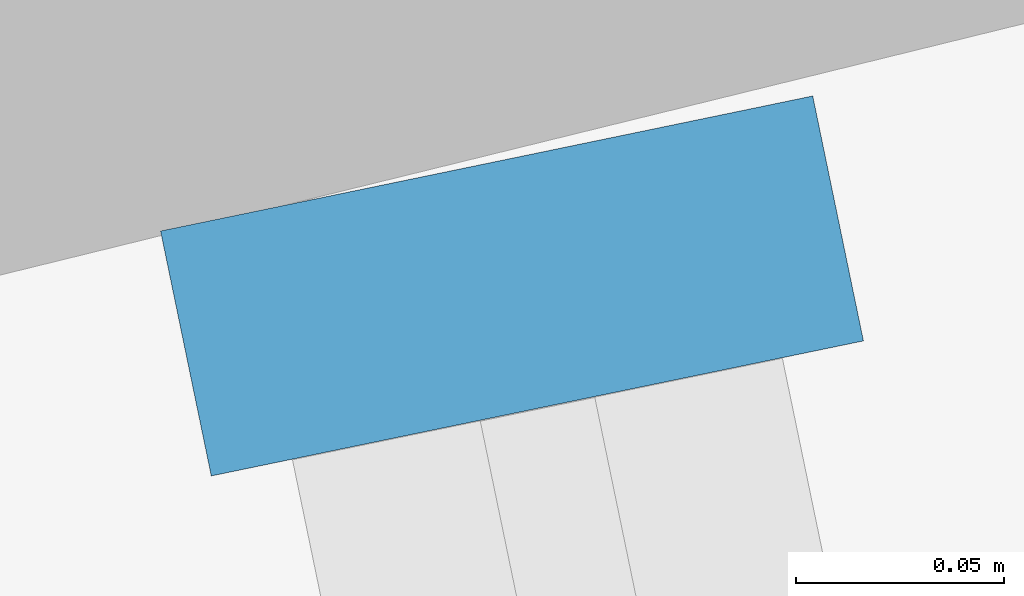
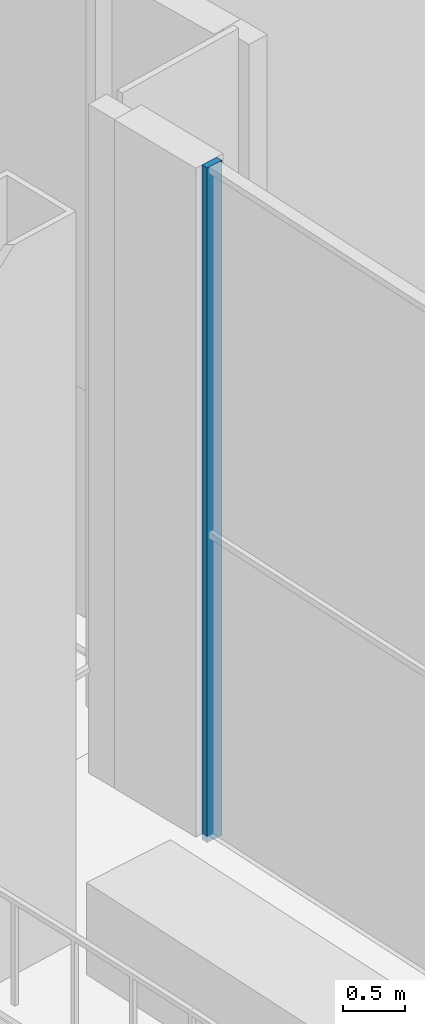
# One storey, part 10 of 25: 1 member, 1 element without a shape of its own.
"""IFC4 building model written with IfcOpenShell, lengths in metres."""

from ifc_helpers import new_model, si_unit, direction, frame, origin, origin_2d, place, context, subcontext, project, spatial, rectangle, extrude, material, layer, layer_set, material_profile, profile_set, type_object, element, aggregate, save


model = new_model("IFC4")

# Units and contexts
model_context = context("Model", 3, precision=1e-05, world=origin(), true_north=direction((0.0, 1.0)))
body_context = subcontext(model_context, "Body", "Model", "MODEL_VIEW")
ifc_project = project(units=[si_unit("LENGTHUNIT", "METRE"), si_unit("AREAUNIT", "SQUARE_METRE"), si_unit("VOLUMEUNIT", "CUBIC_METRE"), si_unit("PLANEANGLEUNIT", "RADIAN"), si_unit("MASSUNIT", "GRAM", prefix="KILO")], contexts=[model_context])

# Site, building, storey
site_placement = place(None, origin())
site = spatial("IfcSite", under=ifc_project, at=site_placement, CompositionType="ELEMENT")
building_placement = place(site_placement, origin())
building = spatial("IfcBuilding", under=site, at=building_placement, Name="Alderwake Tower", CompositionType="ELEMENT")
storey_placement = place(building_placement, frame((0.0, 0.0, 288.800048828125)))
storey = spatial("IfcBuildingStorey", under=building, at=storey_placement, Name="L72", CompositionType="ELEMENT", Elevation=288.800048828125)

# Curtain wall, member
ifc_material_1 = material(Name="Bronze tinted glass in aluminium frame", Category="aluminium")
ifc_layer = layer(ifc_material_1, 0.199951171875)
ifc_layer_set = layer_set([ifc_layer], Name="Curtain wall CW3 sky garden glazing")
curtain_wall_type = type_object("IfcCurtainWallType", Name="Curtain wall CW3 sky garden glazing", PredefinedType="NOTDEFINED", material=ifc_layer_set)
curtain_wall_placement = place(storey_placement, origin())
curtain_wall = element("IfcCurtainWall", 1, at=curtain_wall_placement, inside=storey, type_object=curtain_wall_type, Name="Curtain wall 1", PredefinedType="NOTDEFINED")
ifc_material_2 = material(Name="Aluminium bronze anodised", Category="aluminium")
ifc_material_profile = material_profile(ifc_material_2, rectangle(XDim=0.159912109375, YDim=0.06005859375, at=origin_2d()), Name="Mullion MUC 60x160")
ifc_profile_set = profile_set([ifc_material_profile], Name="Aluminium bronze anodised")
member_type = type_object("IfcMemberType", Name="Mullion MUC 60x160", PredefinedType="MULLION", material=ifc_profile_set)
member_placement = place(storey_placement, frame((16.27490234375, 83.8486328125, 0.0), z_axis=(0.0, 0.0, 1.0), x_axis=(0.979229561571, 0.202754693524, 0.0)))
member = element("IfcMember", 2, at=member_placement, type_object=member_type, Name="CW.01 mullion 1", PredefinedType="MULLION", context=body_context, shape_type="SweptSolid", body=[
    extrude(rectangle(XDim=0.159912109375, YDim=0.06005859375, at=origin_2d()), origin(), (0.0, 0.0, 1.0), 6.599853515625),
])
aggregate(curtain_wall, [member])

save(model, "model.ifc")
